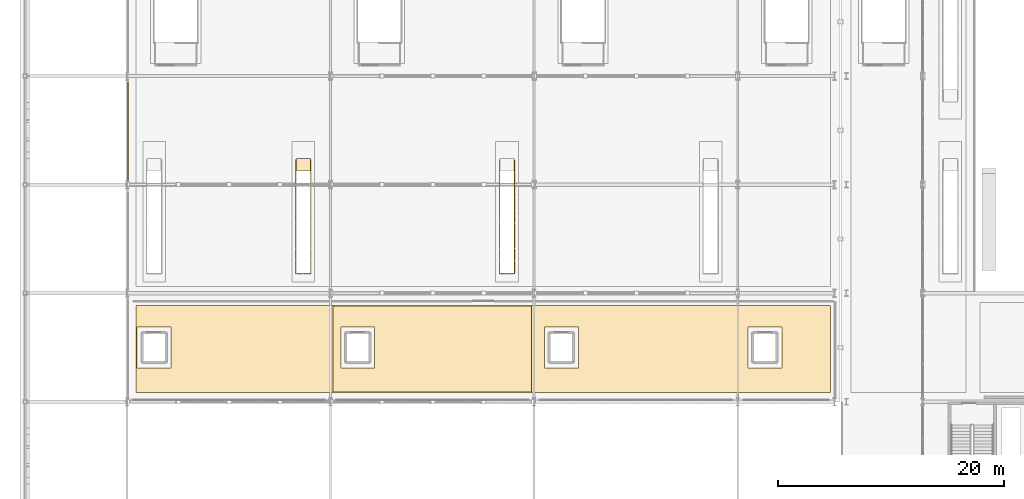
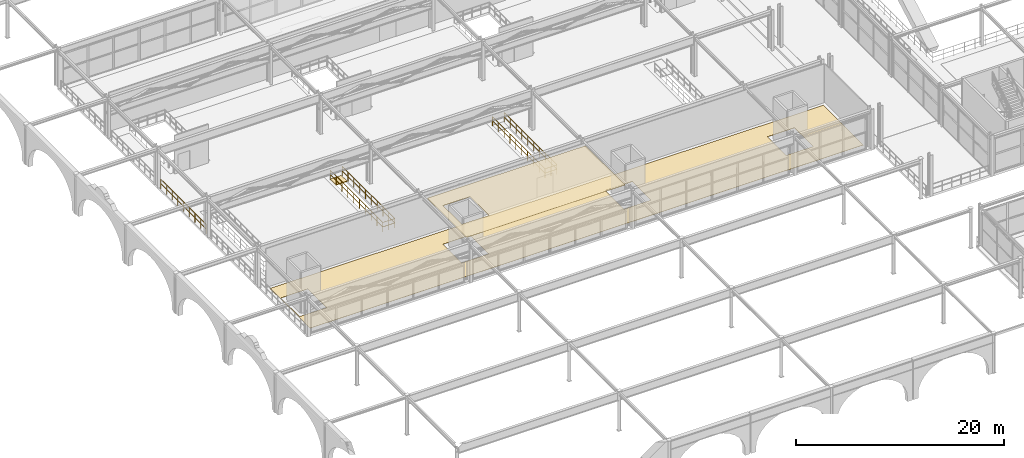
# One storey, part 94 of 125: 3 coverings, 3 railings.
"""IFC4 building model written with IfcOpenShell, lengths in metres."""

from ifc_helpers import new_model, si_unit, direction, frame, origin, origin_2d, place, context, subcontext, project, spatial, polyline, rectangle, outline, extrude, material, layer, layer_set, type_object, element, save


model = new_model("IFC4")

# Units and contexts
model_context = context("Model", 3, precision=1e-05, world=origin(), true_north=direction((0.0, 1.0)))
body_context = subcontext(model_context, "Body", "Model", "MODEL_VIEW")
ifc_project = project(units=[si_unit("LENGTHUNIT", "METRE"), si_unit("AREAUNIT", "SQUARE_METRE"), si_unit("VOLUMEUNIT", "CUBIC_METRE"), si_unit("PLANEANGLEUNIT", "RADIAN"), si_unit("MASSUNIT", "GRAM", prefix="KILO")], contexts=[model_context])

# Site, building, storey
site_placement = place(None, origin())
site = spatial("IfcSite", under=ifc_project, at=site_placement, CompositionType="ELEMENT")
building_placement = place(site_placement, origin())
building = spatial("IfcBuilding", under=site, at=building_placement, Name="Myrtia Square Station", CompositionType="ELEMENT")
storey_placement = place(building_placement, frame((0.0, 0.0, 6.0)))
storey = spatial("IfcBuildingStorey", under=building, at=storey_placement, Name="L01", CompositionType="ELEMENT", Elevation=6.0)

# Coverings
ifc_material_1 = material(Name="Gypsum plasterboard")
ifc_layer_1 = layer(ifc_material_1, 0.034912109375, Name="Gypsum plasterboard")
ifc_layer_set_1 = layer_set([ifc_layer_1], Name="Gypsum plasterboard")
covering_type_1 = type_object("IfcCoveringType", Name="COV-CEIL-ACOUSTIC", PredefinedType="CEILING", material=ifc_layer_set_1)
covering_1_placement = place(storey_placement, frame((0.0, 0.0, 4.52001953125)))
element("IfcCovering", 1, at=covering_1_placement, inside=storey, type_object=covering_type_1, Name="Acoustic coffer ceiling L01-02", PredefinedType="CEILING", context=body_context, shape_type="SweptSolid", body=[
    extrude(outline(polyline([(44.780029296875, 46.85009765625), (44.780029296875, 39.25), (27.219970703125, 39.25), (27.219970703125, 46.85009765625), (44.780029296875, 46.85009765625)]), holes=[polyline([(30.89990234375, 45.0), (27.89990234375, 45.0), (27.89990234375, 41.39990234375), (30.89990234375, 41.39990234375), (30.89990234375, 45.0)])]), origin(), (0.0, 0.0, 1.0), 0.034912109375),
])
ifc_material_2 = material(Name="Terrazzo stone tile", Category="masonry")
ifc_layer_2 = layer(ifc_material_2, 0.02490234375, Name="Terrazzo stone tile")
ifc_layer_set_2 = layer_set([ifc_layer_2], Name="Terrazzo stone tile")
covering_type_2 = type_object("IfcCoveringType", Name="COV-FLR-TERRAZZO", PredefinedType="FLOORING", material=ifc_layer_set_2)
covering_2_placement = place(storey_placement, origin())
element("IfcCovering", 2, at=covering_2_placement, inside=storey, type_object=covering_type_2, Name="Terrazzo room flooring L01-02", PredefinedType="FLOORING", context=body_context, shape_type="SweptSolid", body=[
    extrude(outline(polyline([(9.800048828125, 46.89990234375), (71.199951171875, 46.89990234375), (71.199951171875, 39.199951171875), (9.800048828125, 39.199951171875), (9.800048828125, 46.89990234375)]), holes=[polyline([(30.89990234375, 41.39990234375), (30.89990234375, 45.0), (27.89990234375, 45.0), (27.89990234375, 41.39990234375), (30.89990234375, 41.39990234375)]), polyline([(12.89990234375, 41.39990234375), (12.89990234375, 45.0), (9.89990234375, 45.0), (9.89990234375, 41.39990234375), (12.89990234375, 41.39990234375)]), polyline([(66.89990234375, 41.39990234375), (66.89990234375, 45.0), (63.89990234375, 45.0), (63.89990234375, 41.39990234375), (66.89990234375, 41.39990234375)]), polyline([(48.89990234375, 45.0), (45.89990234375, 45.0), (45.89990234375, 41.39990234375), (48.89990234375, 41.39990234375), (48.89990234375, 45.0)])]), origin(), (0.0, 0.0, 1.0), 0.02490234375),
])
covering_3_placement = place(storey_placement, frame((0.0, 0.0, -0.080078125)))
element("IfcCovering", 3, at=covering_3_placement, inside=storey, type_object=covering_type_2, Name="Escalator ESC-02 upper comb landing", PredefinedType="FLOORING", context=body_context, shape_type="SweptSolid", body=[
    extrude(outline(polyline([(23.97998046875, 58.81005859375), (25.219970703125, 58.81005859375), (25.219970703125, 59.909912109375), (23.97998046875, 59.909912109375), (23.97998046875, 58.81005859375)])), origin(), (0.0, 0.0, 1.0), 0.080078125),
])

# Railings
ifc_material_3 = material(Name="Wrought iron", Category="steel")
railing_type = type_object("IfcRailingType", Name="RL-INT-GUARD-1100", PredefinedType="BALUSTRADE", material=ifc_material_3)
railing_1_placement = place(storey_placement, frame((23.93994140625, 59.81005859375, 0.0)))
element("IfcRailing", 4, at=railing_1_placement, inside=storey, type_object=railing_type, Name="Escalator ESC-02 upper well guard", PredefinedType="BALUSTRADE", context=body_context, shape_type="SweptSolid", body=[
    extrude(rectangle(XDim=0.048095703125, YDim=0.048095703125, at=origin_2d()), frame((0.0, -0.03466796875, 1.09619140625), z_axis=(0.0, -1.0, 0.0), x_axis=(1.0, 0.0, 0.0)), (0.0, 0.0, 1.0), 1.0517578125),
    extrude(rectangle(XDim=0.048095703125, YDim=0.048095703125, at=origin_2d()), frame((0.0, -0.03466796875, 0.58251953125), z_axis=(0.0, -1.0, 0.0), x_axis=(1.0, 0.0, 0.0)), (0.0, 0.0, 1.0), 1.0517578125),
    extrude(rectangle(XDim=0.048095703125, YDim=0.048095703125, at=origin_2d()), frame((0.0, -1.15576171875, 1.09619140625), z_axis=(0.0, -1.0, 0.0), x_axis=(1.0, 0.0, 0.0)), (0.0, 0.0, 1.0), 1.0517578125),
    extrude(rectangle(XDim=0.048095703125, YDim=0.048095703125, at=origin_2d()), frame((0.0, -1.15576171875, 0.58251953125), z_axis=(0.0, -1.0, 0.0), x_axis=(1.0, 0.0, 0.0)), (0.0, 0.0, 1.0), 1.0517578125),
    extrude(rectangle(XDim=0.048095703125, YDim=0.048095703125, at=origin_2d()), frame((0.0, -2.27685546875, 1.09619140625), z_axis=(0.0, -1.0, 0.0), x_axis=(1.0, 0.0, 0.0)), (0.0, 0.0, 1.0), 1.0517578125),
    extrude(rectangle(XDim=0.048095703125, YDim=0.048095703125, at=origin_2d()), frame((0.0, -2.27685546875, 0.58251953125), z_axis=(0.0, -1.0, 0.0), x_axis=(1.0, 0.0, 0.0)), (0.0, 0.0, 1.0), 1.0517578125),
    extrude(rectangle(XDim=0.048095703125, YDim=0.048095703125, at=origin_2d()), frame((0.0, -3.39794921875, 1.09619140625), z_axis=(0.0, -1.0, 0.0), x_axis=(1.0, 0.0, 0.0)), (0.0, 0.0, 1.0), 1.0517578125),
    extrude(rectangle(XDim=0.048095703125, YDim=0.048095703125, at=origin_2d()), frame((0.0, -3.39794921875, 0.58251953125), z_axis=(0.0, -1.0, 0.0), x_axis=(1.0, 0.0, 0.0)), (0.0, 0.0, 1.0), 1.0517578125),
    extrude(rectangle(XDim=0.048095703125, YDim=0.048095703125, at=origin_2d()), frame((0.0, -4.51904296875, 1.09619140625), z_axis=(0.0, -1.0, 0.0), x_axis=(1.0, 0.0, 0.0)), (0.0, 0.0, 1.0), 1.0517578125),
    extrude(rectangle(XDim=0.048095703125, YDim=0.048095703125, at=origin_2d()), frame((0.0, -4.51904296875, 0.58251953125), z_axis=(0.0, -1.0, 0.0), x_axis=(1.0, 0.0, 0.0)), (0.0, 0.0, 1.0), 1.0517578125),
    extrude(rectangle(XDim=0.048095703125, YDim=0.048095703125, at=origin_2d()), frame((0.0, -5.64013671875, 1.09619140625), z_axis=(0.0, -1.0, 0.0), x_axis=(1.0, 0.0, 0.0)), (0.0, 0.0, 1.0), 1.0517578125),
    extrude(rectangle(XDim=0.048095703125, YDim=0.048095703125, at=origin_2d()), frame((0.0, -5.64013671875, 0.58251953125), z_axis=(0.0, -1.0, 0.0), x_axis=(1.0, 0.0, 0.0)), (0.0, 0.0, 1.0), 1.0517578125),
    extrude(rectangle(XDim=0.048095703125, YDim=0.048095703125, at=origin_2d()), frame((0.0, -6.761474609375, 1.09619140625), z_axis=(0.0, -1.0, 0.0), x_axis=(1.0, 0.0, 0.0)), (0.0, 0.0, 1.0), 1.0517578125),
    extrude(rectangle(XDim=0.048095703125, YDim=0.048095703125, at=origin_2d()), frame((0.0, -6.761474609375, 0.58251953125), z_axis=(0.0, -1.0, 0.0), x_axis=(1.0, 0.0, 0.0)), (0.0, 0.0, 1.0), 1.0517578125),
    extrude(rectangle(XDim=0.048095703125, YDim=0.048095703125, at=origin_2d()), frame((0.0, -7.882568359375, 1.09619140625), z_axis=(0.0, -1.0, 0.0), x_axis=(1.0, 0.0, 0.0)), (0.0, 0.0, 1.0), 1.0517578125),
    extrude(rectangle(XDim=0.048095703125, YDim=0.048095703125, at=origin_2d()), frame((0.0, -7.882568359375, 0.58251953125), z_axis=(0.0, -1.0, 0.0), x_axis=(1.0, 0.0, 0.0)), (0.0, 0.0, 1.0), 1.0517578125),
    extrude(rectangle(XDim=0.048095703125, YDim=0.048095703125, at=origin_2d()), frame((0.0, -9.003662109375, 1.09619140625), z_axis=(0.0, -1.0, 0.0), x_axis=(1.0, 0.0, 0.0)), (0.0, 0.0, 1.0), 1.0517578125),
    extrude(rectangle(XDim=0.048095703125, YDim=0.048095703125, at=origin_2d()), frame((0.0, -9.003662109375, 0.58251953125), z_axis=(0.0, -1.0, 0.0), x_axis=(1.0, 0.0, 0.0)), (0.0, 0.0, 1.0), 1.0517578125),
    extrude(rectangle(XDim=0.048095703125, YDim=0.048095703125, at=origin_2d()), frame((0.03466796875, -10.090087890625, 1.09619140625), z_axis=(1.0, 0.0, 0.0), x_axis=(0.0, 1.0, 0.0)), (0.0, 0.0, 1.0), 0.5908203125),
    extrude(rectangle(XDim=0.048095703125, YDim=0.048095703125, at=origin_2d()), frame((0.03466796875, -10.090087890625, 0.58251953125), z_axis=(1.0, 0.0, 0.0), x_axis=(0.0, 1.0, 0.0)), (0.0, 0.0, 1.0), 0.5908203125),
    extrude(rectangle(XDim=0.048095703125, YDim=0.048095703125, at=origin_2d()), frame((0.694580078125, -10.090087890625, 1.09619140625), z_axis=(1.0, 0.0, 0.0), x_axis=(0.0, 1.0, 0.0)), (0.0, 0.0, 1.0), 0.5908203125),
    extrude(rectangle(XDim=0.048095703125, YDim=0.048095703125, at=origin_2d()), frame((0.694580078125, -10.090087890625, 0.58251953125), z_axis=(1.0, 0.0, 0.0), x_axis=(0.0, 1.0, 0.0)), (0.0, 0.0, 1.0), 0.5908203125),
    extrude(rectangle(XDim=0.048095703125, YDim=0.048095703125, at=origin_2d()), frame((1.320068359375, -10.055419921875, 1.09619140625), z_axis=(0.0, 1.0, 0.0), x_axis=(-1.0, 0.0, 0.0)), (0.0, 0.0, 1.0), 1.0517578125),
    extrude(rectangle(XDim=0.048095703125, YDim=0.048095703125, at=origin_2d()), frame((1.320068359375, -10.055419921875, 0.58251953125), z_axis=(0.0, 1.0, 0.0), x_axis=(-1.0, 0.0, 0.0)), (0.0, 0.0, 1.0), 1.0517578125),
    extrude(rectangle(XDim=0.048095703125, YDim=0.048095703125, at=origin_2d()), frame((1.320068359375, -8.934326171875, 1.09619140625), z_axis=(0.0, 1.0, 0.0), x_axis=(-1.0, 0.0, 0.0)), (0.0, 0.0, 1.0), 1.0517578125),
    extrude(rectangle(XDim=0.048095703125, YDim=0.048095703125, at=origin_2d()), frame((1.320068359375, -8.934326171875, 0.58251953125), z_axis=(0.0, 1.0, 0.0), x_axis=(-1.0, 0.0, 0.0)), (0.0, 0.0, 1.0), 1.0517578125),
    extrude(rectangle(XDim=0.048095703125, YDim=0.048095703125, at=origin_2d()), frame((1.320068359375, -7.813232421875, 1.09619140625), z_axis=(0.0, 1.0, 0.0), x_axis=(-1.0, 0.0, 0.0)), (0.0, 0.0, 1.0), 1.0517578125),
    extrude(rectangle(XDim=0.048095703125, YDim=0.048095703125, at=origin_2d()), frame((1.320068359375, -7.813232421875, 0.58251953125), z_axis=(0.0, 1.0, 0.0), x_axis=(-1.0, 0.0, 0.0)), (0.0, 0.0, 1.0), 1.0517578125),
    extrude(rectangle(XDim=0.048095703125, YDim=0.048095703125, at=origin_2d()), frame((1.320068359375, -6.692138671875, 1.09619140625), z_axis=(0.0, 1.0, 0.0), x_axis=(-1.0, 0.0, 0.0)), (0.0, 0.0, 1.0), 1.0517578125),
    extrude(rectangle(XDim=0.048095703125, YDim=0.048095703125, at=origin_2d()), frame((1.320068359375, -6.692138671875, 0.58251953125), z_axis=(0.0, 1.0, 0.0), x_axis=(-1.0, 0.0, 0.0)), (0.0, 0.0, 1.0), 1.0517578125),
    extrude(rectangle(XDim=0.048095703125, YDim=0.048095703125, at=origin_2d()), frame((1.320068359375, -5.571044921875, 1.09619140625), z_axis=(0.0, 1.0, 0.0), x_axis=(-1.0, 0.0, 0.0)), (0.0, 0.0, 1.0), 1.0517578125),
    extrude(rectangle(XDim=0.048095703125, YDim=0.048095703125, at=origin_2d()), frame((1.320068359375, -5.571044921875, 0.58251953125), z_axis=(0.0, 1.0, 0.0), x_axis=(-1.0, 0.0, 0.0)), (0.0, 0.0, 1.0), 1.0517578125),
    extrude(rectangle(XDim=0.048095703125, YDim=0.048095703125, at=origin_2d()), frame((1.320068359375, -4.449951171875, 1.09619140625), z_axis=(0.0, 1.0, 0.0), x_axis=(-1.0, 0.0, 0.0)), (0.0, 0.0, 1.0), 1.0517578125),
    extrude(rectangle(XDim=0.048095703125, YDim=0.048095703125, at=origin_2d()), frame((1.320068359375, -4.449951171875, 0.58251953125), z_axis=(0.0, 1.0, 0.0), x_axis=(-1.0, 0.0, 0.0)), (0.0, 0.0, 1.0), 1.0517578125),
    extrude(rectangle(XDim=0.048095703125, YDim=0.048095703125, at=origin_2d()), frame((1.320068359375, -3.32861328125, 1.09619140625), z_axis=(0.0, 1.0, 0.0), x_axis=(-1.0, 0.0, 0.0)), (0.0, 0.0, 1.0), 1.0517578125),
    extrude(rectangle(XDim=0.048095703125, YDim=0.048095703125, at=origin_2d()), frame((1.320068359375, -3.32861328125, 0.58251953125), z_axis=(0.0, 1.0, 0.0), x_axis=(-1.0, 0.0, 0.0)), (0.0, 0.0, 1.0), 1.0517578125),
    extrude(rectangle(XDim=0.048095703125, YDim=0.048095703125, at=origin_2d()), frame((1.320068359375, -2.20751953125, 1.09619140625), z_axis=(0.0, 1.0, 0.0), x_axis=(-1.0, 0.0, 0.0)), (0.0, 0.0, 1.0), 1.0517578125),
    extrude(rectangle(XDim=0.048095703125, YDim=0.048095703125, at=origin_2d()), frame((1.320068359375, -2.20751953125, 0.58251953125), z_axis=(0.0, 1.0, 0.0), x_axis=(-1.0, 0.0, 0.0)), (0.0, 0.0, 1.0), 1.0517578125),
    extrude(rectangle(XDim=0.048095703125, YDim=0.048095703125, at=origin_2d()), frame((1.320068359375, -1.08642578125, 1.09619140625), z_axis=(0.0, 1.0, 0.0), x_axis=(-1.0, 0.0, 0.0)), (0.0, 0.0, 1.0), 1.0517578125),
    extrude(rectangle(XDim=0.048095703125, YDim=0.048095703125, at=origin_2d()), frame((1.320068359375, -1.08642578125, 0.58251953125), z_axis=(0.0, 1.0, 0.0), x_axis=(-1.0, 0.0, 0.0)), (0.0, 0.0, 1.0), 1.0517578125),
    extrude(rectangle(XDim=0.0439453125, YDim=0.0439453125, at=origin_2d()), origin(), (0.0, 0.0, 1.0), 1.1201171875),
    extrude(rectangle(XDim=0.0439453125, YDim=0.0439453125, at=origin_2d()), frame((0.0, -1.12109375, 0.0)), (0.0, 0.0, 1.0), 1.1201171875),
    extrude(rectangle(XDim=0.0439453125, YDim=0.0439453125, at=origin_2d()), frame((0.0, -2.2421875, 0.0)), (0.0, 0.0, 1.0), 1.1201171875),
    extrude(rectangle(XDim=0.0439453125, YDim=0.0439453125, at=origin_2d()), frame((0.0, -3.36328125, 0.0)), (0.0, 0.0, 1.0), 1.1201171875),
    extrude(rectangle(XDim=0.0439453125, YDim=0.0439453125, at=origin_2d()), frame((0.0, -4.484375, 0.0)), (0.0, 0.0, 1.0), 1.1201171875),
    extrude(rectangle(XDim=0.0439453125, YDim=0.0439453125, at=origin_2d()), frame((0.0, -5.605712890625, 0.0)), (0.0, 0.0, 1.0), 1.1201171875),
    extrude(rectangle(XDim=0.0439453125, YDim=0.0439453125, at=origin_2d()), frame((0.0, -6.726806640625, 0.0)), (0.0, 0.0, 1.0), 1.1201171875),
    extrude(rectangle(XDim=0.0439453125, YDim=0.0439453125, at=origin_2d()), frame((0.0, -7.847900390625, 0.0)), (0.0, 0.0, 1.0), 1.1201171875),
    extrude(rectangle(XDim=0.0439453125, YDim=0.0439453125, at=origin_2d()), frame((0.0, -8.968994140625, 0.0)), (0.0, 0.0, 1.0), 1.1201171875),
    extrude(rectangle(XDim=0.0439453125, YDim=0.0439453125, at=origin_2d()), frame((0.0, -10.090087890625, 0.0)), (0.0, 0.0, 1.0), 1.1201171875),
    extrude(rectangle(XDim=0.0439453125, YDim=0.0439453125, at=origin_2d()), frame((0.66015625, -10.090087890625, 0.0)), (0.0, 0.0, 1.0), 1.1201171875),
    extrude(rectangle(XDim=0.0439453125, YDim=0.0439453125, at=origin_2d()), frame((1.320068359375, -10.090087890625, 0.0)), (0.0, 0.0, 1.0), 1.1201171875),
    extrude(rectangle(XDim=0.0439453125, YDim=0.0439453125, at=origin_2d()), frame((1.320068359375, -8.968994140625, 0.0)), (0.0, 0.0, 1.0), 1.1201171875),
    extrude(rectangle(XDim=0.0439453125, YDim=0.0439453125, at=origin_2d()), frame((1.320068359375, -7.847900390625, 0.0)), (0.0, 0.0, 1.0), 1.1201171875),
    extrude(rectangle(XDim=0.0439453125, YDim=0.0439453125, at=origin_2d()), frame((1.320068359375, -6.726806640625, 0.0)), (0.0, 0.0, 1.0), 1.1201171875),
    extrude(rectangle(XDim=0.0439453125, YDim=0.0439453125, at=origin_2d()), frame((1.320068359375, -5.605712890625, 0.0)), (0.0, 0.0, 1.0), 1.1201171875),
    extrude(rectangle(XDim=0.0439453125, YDim=0.0439453125, at=origin_2d()), frame((1.320068359375, -4.484375, 0.0)), (0.0, 0.0, 1.0), 1.1201171875),
    extrude(rectangle(XDim=0.0439453125, YDim=0.0439453125, at=origin_2d()), frame((1.320068359375, -3.36328125, 0.0)), (0.0, 0.0, 1.0), 1.1201171875),
    extrude(rectangle(XDim=0.0439453125, YDim=0.0439453125, at=origin_2d()), frame((1.320068359375, -2.2421875, 0.0)), (0.0, 0.0, 1.0), 1.1201171875),
    extrude(rectangle(XDim=0.0439453125, YDim=0.0439453125, at=origin_2d()), frame((1.320068359375, -1.12109375, 0.0)), (0.0, 0.0, 1.0), 1.1201171875),
    extrude(rectangle(XDim=0.0439453125, YDim=0.0439453125, at=origin_2d()), frame((1.320068359375, 0.0, 0.0)), (0.0, 0.0, 1.0), 1.1201171875),
])
railing_2_placement = place(storey_placement, frame((41.93994140625, 59.81005859375, 0.0)))
element("IfcRailing", 5, at=railing_2_placement, inside=storey, type_object=railing_type, Name="Escalator ESC-03 upper well guard", PredefinedType="BALUSTRADE", context=body_context, shape_type="SweptSolid", body=[
    extrude(rectangle(XDim=0.048095703125, YDim=0.048095703125, at=origin_2d()), frame((0.0, -0.03466796875, 1.09619140625), z_axis=(0.0, -1.0, 0.0), x_axis=(1.0, 0.0, 0.0)), (0.0, 0.0, 1.0), 1.0517578125),
    extrude(rectangle(XDim=0.048095703125, YDim=0.048095703125, at=origin_2d()), frame((0.0, -0.03466796875, 0.58251953125), z_axis=(0.0, -1.0, 0.0), x_axis=(1.0, 0.0, 0.0)), (0.0, 0.0, 1.0), 1.0517578125),
    extrude(rectangle(XDim=0.048095703125, YDim=0.048095703125, at=origin_2d()), frame((0.0, -1.15576171875, 1.09619140625), z_axis=(0.0, -1.0, 0.0), x_axis=(1.0, 0.0, 0.0)), (0.0, 0.0, 1.0), 1.0517578125),
    extrude(rectangle(XDim=0.048095703125, YDim=0.048095703125, at=origin_2d()), frame((0.0, -1.15576171875, 0.58251953125), z_axis=(0.0, -1.0, 0.0), x_axis=(1.0, 0.0, 0.0)), (0.0, 0.0, 1.0), 1.0517578125),
    extrude(rectangle(XDim=0.048095703125, YDim=0.048095703125, at=origin_2d()), frame((0.0, -2.27685546875, 1.09619140625), z_axis=(0.0, -1.0, 0.0), x_axis=(1.0, 0.0, 0.0)), (0.0, 0.0, 1.0), 1.0517578125),
    extrude(rectangle(XDim=0.048095703125, YDim=0.048095703125, at=origin_2d()), frame((0.0, -2.27685546875, 0.58251953125), z_axis=(0.0, -1.0, 0.0), x_axis=(1.0, 0.0, 0.0)), (0.0, 0.0, 1.0), 1.0517578125),
    extrude(rectangle(XDim=0.048095703125, YDim=0.048095703125, at=origin_2d()), frame((0.0, -3.39794921875, 1.09619140625), z_axis=(0.0, -1.0, 0.0), x_axis=(1.0, 0.0, 0.0)), (0.0, 0.0, 1.0), 1.0517578125),
    extrude(rectangle(XDim=0.048095703125, YDim=0.048095703125, at=origin_2d()), frame((0.0, -3.39794921875, 0.58251953125), z_axis=(0.0, -1.0, 0.0), x_axis=(1.0, 0.0, 0.0)), (0.0, 0.0, 1.0), 1.0517578125),
    extrude(rectangle(XDim=0.048095703125, YDim=0.048095703125, at=origin_2d()), frame((0.0, -4.51904296875, 1.09619140625), z_axis=(0.0, -1.0, 0.0), x_axis=(1.0, 0.0, 0.0)), (0.0, 0.0, 1.0), 1.0517578125),
    extrude(rectangle(XDim=0.048095703125, YDim=0.048095703125, at=origin_2d()), frame((0.0, -4.51904296875, 0.58251953125), z_axis=(0.0, -1.0, 0.0), x_axis=(1.0, 0.0, 0.0)), (0.0, 0.0, 1.0), 1.0517578125),
    extrude(rectangle(XDim=0.048095703125, YDim=0.048095703125, at=origin_2d()), frame((0.0, -5.64013671875, 1.09619140625), z_axis=(0.0, -1.0, 0.0), x_axis=(1.0, 0.0, 0.0)), (0.0, 0.0, 1.0), 1.0517578125),
    extrude(rectangle(XDim=0.048095703125, YDim=0.048095703125, at=origin_2d()), frame((0.0, -5.64013671875, 0.58251953125), z_axis=(0.0, -1.0, 0.0), x_axis=(1.0, 0.0, 0.0)), (0.0, 0.0, 1.0), 1.0517578125),
    extrude(rectangle(XDim=0.048095703125, YDim=0.048095703125, at=origin_2d()), frame((0.0, -6.761474609375, 1.09619140625), z_axis=(0.0, -1.0, 0.0), x_axis=(1.0, 0.0, 0.0)), (0.0, 0.0, 1.0), 1.0517578125),
    extrude(rectangle(XDim=0.048095703125, YDim=0.048095703125, at=origin_2d()), frame((0.0, -6.761474609375, 0.58251953125), z_axis=(0.0, -1.0, 0.0), x_axis=(1.0, 0.0, 0.0)), (0.0, 0.0, 1.0), 1.0517578125),
    extrude(rectangle(XDim=0.048095703125, YDim=0.048095703125, at=origin_2d()), frame((0.0, -7.882568359375, 1.09619140625), z_axis=(0.0, -1.0, 0.0), x_axis=(1.0, 0.0, 0.0)), (0.0, 0.0, 1.0), 1.0517578125),
    extrude(rectangle(XDim=0.048095703125, YDim=0.048095703125, at=origin_2d()), frame((0.0, -7.882568359375, 0.58251953125), z_axis=(0.0, -1.0, 0.0), x_axis=(1.0, 0.0, 0.0)), (0.0, 0.0, 1.0), 1.0517578125),
    extrude(rectangle(XDim=0.048095703125, YDim=0.048095703125, at=origin_2d()), frame((0.0, -9.003662109375, 1.09619140625), z_axis=(0.0, -1.0, 0.0), x_axis=(1.0, 0.0, 0.0)), (0.0, 0.0, 1.0), 1.0517578125),
    extrude(rectangle(XDim=0.048095703125, YDim=0.048095703125, at=origin_2d()), frame((0.0, -9.003662109375, 0.58251953125), z_axis=(0.0, -1.0, 0.0), x_axis=(1.0, 0.0, 0.0)), (0.0, 0.0, 1.0), 1.0517578125),
    extrude(rectangle(XDim=0.048095703125, YDim=0.048095703125, at=origin_2d()), frame((0.03466796875, -10.090087890625, 1.09619140625), z_axis=(1.0, 0.0, 0.0), x_axis=(0.0, 1.0, 0.0)), (0.0, 0.0, 1.0), 0.5908203125),
    extrude(rectangle(XDim=0.048095703125, YDim=0.048095703125, at=origin_2d()), frame((0.03466796875, -10.090087890625, 0.58251953125), z_axis=(1.0, 0.0, 0.0), x_axis=(0.0, 1.0, 0.0)), (0.0, 0.0, 1.0), 0.5908203125),
    extrude(rectangle(XDim=0.048095703125, YDim=0.048095703125, at=origin_2d()), frame((0.694580078125, -10.090087890625, 1.09619140625), z_axis=(1.0, 0.0, 0.0), x_axis=(0.0, 1.0, 0.0)), (0.0, 0.0, 1.0), 0.5908203125),
    extrude(rectangle(XDim=0.048095703125, YDim=0.048095703125, at=origin_2d()), frame((0.694580078125, -10.090087890625, 0.58251953125), z_axis=(1.0, 0.0, 0.0), x_axis=(0.0, 1.0, 0.0)), (0.0, 0.0, 1.0), 0.5908203125),
    extrude(rectangle(XDim=0.048095703125, YDim=0.048095703125, at=origin_2d()), frame((1.320068359375, -10.055419921875, 1.09619140625), z_axis=(0.0, 1.0, 0.0), x_axis=(-1.0, 0.0, 0.0)), (0.0, 0.0, 1.0), 1.0517578125),
    extrude(rectangle(XDim=0.048095703125, YDim=0.048095703125, at=origin_2d()), frame((1.320068359375, -10.055419921875, 0.58251953125), z_axis=(0.0, 1.0, 0.0), x_axis=(-1.0, 0.0, 0.0)), (0.0, 0.0, 1.0), 1.0517578125),
    extrude(rectangle(XDim=0.048095703125, YDim=0.048095703125, at=origin_2d()), frame((1.320068359375, -8.934326171875, 1.09619140625), z_axis=(0.0, 1.0, 0.0), x_axis=(-1.0, 0.0, 0.0)), (0.0, 0.0, 1.0), 1.0517578125),
    extrude(rectangle(XDim=0.048095703125, YDim=0.048095703125, at=origin_2d()), frame((1.320068359375, -8.934326171875, 0.58251953125), z_axis=(0.0, 1.0, 0.0), x_axis=(-1.0, 0.0, 0.0)), (0.0, 0.0, 1.0), 1.0517578125),
    extrude(rectangle(XDim=0.048095703125, YDim=0.048095703125, at=origin_2d()), frame((1.320068359375, -7.813232421875, 1.09619140625), z_axis=(0.0, 1.0, 0.0), x_axis=(-1.0, 0.0, 0.0)), (0.0, 0.0, 1.0), 1.0517578125),
    extrude(rectangle(XDim=0.048095703125, YDim=0.048095703125, at=origin_2d()), frame((1.320068359375, -7.813232421875, 0.58251953125), z_axis=(0.0, 1.0, 0.0), x_axis=(-1.0, 0.0, 0.0)), (0.0, 0.0, 1.0), 1.0517578125),
    extrude(rectangle(XDim=0.048095703125, YDim=0.048095703125, at=origin_2d()), frame((1.320068359375, -6.692138671875, 1.09619140625), z_axis=(0.0, 1.0, 0.0), x_axis=(-1.0, 0.0, 0.0)), (0.0, 0.0, 1.0), 1.0517578125),
    extrude(rectangle(XDim=0.048095703125, YDim=0.048095703125, at=origin_2d()), frame((1.320068359375, -6.692138671875, 0.58251953125), z_axis=(0.0, 1.0, 0.0), x_axis=(-1.0, 0.0, 0.0)), (0.0, 0.0, 1.0), 1.0517578125),
    extrude(rectangle(XDim=0.048095703125, YDim=0.048095703125, at=origin_2d()), frame((1.320068359375, -5.571044921875, 1.09619140625), z_axis=(0.0, 1.0, 0.0), x_axis=(-1.0, 0.0, 0.0)), (0.0, 0.0, 1.0), 1.0517578125),
    extrude(rectangle(XDim=0.048095703125, YDim=0.048095703125, at=origin_2d()), frame((1.320068359375, -5.571044921875, 0.58251953125), z_axis=(0.0, 1.0, 0.0), x_axis=(-1.0, 0.0, 0.0)), (0.0, 0.0, 1.0), 1.0517578125),
    extrude(rectangle(XDim=0.048095703125, YDim=0.048095703125, at=origin_2d()), frame((1.320068359375, -4.449951171875, 1.09619140625), z_axis=(0.0, 1.0, 0.0), x_axis=(-1.0, 0.0, 0.0)), (0.0, 0.0, 1.0), 1.0517578125),
    extrude(rectangle(XDim=0.048095703125, YDim=0.048095703125, at=origin_2d()), frame((1.320068359375, -4.449951171875, 0.58251953125), z_axis=(0.0, 1.0, 0.0), x_axis=(-1.0, 0.0, 0.0)), (0.0, 0.0, 1.0), 1.0517578125),
    extrude(rectangle(XDim=0.048095703125, YDim=0.048095703125, at=origin_2d()), frame((1.320068359375, -3.32861328125, 1.09619140625), z_axis=(0.0, 1.0, 0.0), x_axis=(-1.0, 0.0, 0.0)), (0.0, 0.0, 1.0), 1.0517578125),
    extrude(rectangle(XDim=0.048095703125, YDim=0.048095703125, at=origin_2d()), frame((1.320068359375, -3.32861328125, 0.58251953125), z_axis=(0.0, 1.0, 0.0), x_axis=(-1.0, 0.0, 0.0)), (0.0, 0.0, 1.0), 1.0517578125),
    extrude(rectangle(XDim=0.048095703125, YDim=0.048095703125, at=origin_2d()), frame((1.320068359375, -2.20751953125, 1.09619140625), z_axis=(0.0, 1.0, 0.0), x_axis=(-1.0, 0.0, 0.0)), (0.0, 0.0, 1.0), 1.0517578125),
    extrude(rectangle(XDim=0.048095703125, YDim=0.048095703125, at=origin_2d()), frame((1.320068359375, -2.20751953125, 0.58251953125), z_axis=(0.0, 1.0, 0.0), x_axis=(-1.0, 0.0, 0.0)), (0.0, 0.0, 1.0), 1.0517578125),
    extrude(rectangle(XDim=0.048095703125, YDim=0.048095703125, at=origin_2d()), frame((1.320068359375, -1.08642578125, 1.09619140625), z_axis=(0.0, 1.0, 0.0), x_axis=(-1.0, 0.0, 0.0)), (0.0, 0.0, 1.0), 1.0517578125),
    extrude(rectangle(XDim=0.048095703125, YDim=0.048095703125, at=origin_2d()), frame((1.320068359375, -1.08642578125, 0.58251953125), z_axis=(0.0, 1.0, 0.0), x_axis=(-1.0, 0.0, 0.0)), (0.0, 0.0, 1.0), 1.0517578125),
    extrude(rectangle(XDim=0.0439453125, YDim=0.0439453125, at=origin_2d()), origin(), (0.0, 0.0, 1.0), 1.1201171875),
    extrude(rectangle(XDim=0.0439453125, YDim=0.0439453125, at=origin_2d()), frame((0.0, -1.12109375, 0.0)), (0.0, 0.0, 1.0), 1.1201171875),
    extrude(rectangle(XDim=0.0439453125, YDim=0.0439453125, at=origin_2d()), frame((0.0, -2.2421875, 0.0)), (0.0, 0.0, 1.0), 1.1201171875),
    extrude(rectangle(XDim=0.0439453125, YDim=0.0439453125, at=origin_2d()), frame((0.0, -3.36328125, 0.0)), (0.0, 0.0, 1.0), 1.1201171875),
    extrude(rectangle(XDim=0.0439453125, YDim=0.0439453125, at=origin_2d()), frame((0.0, -4.484375, 0.0)), (0.0, 0.0, 1.0), 1.1201171875),
    extrude(rectangle(XDim=0.0439453125, YDim=0.0439453125, at=origin_2d()), frame((0.0, -5.605712890625, 0.0)), (0.0, 0.0, 1.0), 1.1201171875),
    extrude(rectangle(XDim=0.0439453125, YDim=0.0439453125, at=origin_2d()), frame((0.0, -6.726806640625, 0.0)), (0.0, 0.0, 1.0), 1.1201171875),
    extrude(rectangle(XDim=0.0439453125, YDim=0.0439453125, at=origin_2d()), frame((0.0, -7.847900390625, 0.0)), (0.0, 0.0, 1.0), 1.1201171875),
    extrude(rectangle(XDim=0.0439453125, YDim=0.0439453125, at=origin_2d()), frame((0.0, -8.968994140625, 0.0)), (0.0, 0.0, 1.0), 1.1201171875),
    extrude(rectangle(XDim=0.0439453125, YDim=0.0439453125, at=origin_2d()), frame((0.0, -10.090087890625, 0.0)), (0.0, 0.0, 1.0), 1.1201171875),
    extrude(rectangle(XDim=0.0439453125, YDim=0.0439453125, at=origin_2d()), frame((0.66015625, -10.090087890625, 0.0)), (0.0, 0.0, 1.0), 1.1201171875),
    extrude(rectangle(XDim=0.0439453125, YDim=0.0439453125, at=origin_2d()), frame((1.320068359375, -10.090087890625, 0.0)), (0.0, 0.0, 1.0), 1.1201171875),
    extrude(rectangle(XDim=0.0439453125, YDim=0.0439453125, at=origin_2d()), frame((1.320068359375, -8.968994140625, 0.0)), (0.0, 0.0, 1.0), 1.1201171875),
    extrude(rectangle(XDim=0.0439453125, YDim=0.0439453125, at=origin_2d()), frame((1.320068359375, -7.847900390625, 0.0)), (0.0, 0.0, 1.0), 1.1201171875),
    extrude(rectangle(XDim=0.0439453125, YDim=0.0439453125, at=origin_2d()), frame((1.320068359375, -6.726806640625, 0.0)), (0.0, 0.0, 1.0), 1.1201171875),
    extrude(rectangle(XDim=0.0439453125, YDim=0.0439453125, at=origin_2d()), frame((1.320068359375, -5.605712890625, 0.0)), (0.0, 0.0, 1.0), 1.1201171875),
    extrude(rectangle(XDim=0.0439453125, YDim=0.0439453125, at=origin_2d()), frame((1.320068359375, -4.484375, 0.0)), (0.0, 0.0, 1.0), 1.1201171875),
    extrude(rectangle(XDim=0.0439453125, YDim=0.0439453125, at=origin_2d()), frame((1.320068359375, -3.36328125, 0.0)), (0.0, 0.0, 1.0), 1.1201171875),
    extrude(rectangle(XDim=0.0439453125, YDim=0.0439453125, at=origin_2d()), frame((1.320068359375, -2.2421875, 0.0)), (0.0, 0.0, 1.0), 1.1201171875),
    extrude(rectangle(XDim=0.0439453125, YDim=0.0439453125, at=origin_2d()), frame((1.320068359375, -1.12109375, 0.0)), (0.0, 0.0, 1.0), 1.1201171875),
    extrude(rectangle(XDim=0.0439453125, YDim=0.0439453125, at=origin_2d()), frame((1.320068359375, 0.0, 0.0)), (0.0, 0.0, 1.0), 1.1201171875),
])
railing_3_placement = place(storey_placement, frame((9.080078125, 66.64111328125, 0.0)))
element("IfcRailing", 6, at=railing_3_placement, inside=storey, type_object=railing_type, Name="Perimeter slab edge balustrade L01-004", PredefinedType="BALUSTRADE", context=body_context, shape_type="SweptSolid", body=[
    extrude(rectangle(XDim=0.048095703125, YDim=0.048095703125, at=origin_2d()), frame((0.0, -0.03466796875, 1.09619140625), z_axis=(0.0, -1.0, 0.0), x_axis=(1.0, 0.0, 0.0)), (0.0, 0.0, 1.0), 1.022216796875),
    extrude(rectangle(XDim=0.048095703125, YDim=0.048095703125, at=origin_2d()), frame((0.0, -0.03466796875, 0.58251953125), z_axis=(0.0, -1.0, 0.0), x_axis=(1.0, 0.0, 0.0)), (0.0, 0.0, 1.0), 1.022216796875),
    extrude(rectangle(XDim=0.048095703125, YDim=0.048095703125, at=origin_2d()), frame((0.0, -1.126220703125, 1.09619140625), z_axis=(0.0, -1.0, 0.0), x_axis=(1.0, 0.0, 0.0)), (0.0, 0.0, 1.0), 1.022216796875),
    extrude(rectangle(XDim=0.048095703125, YDim=0.048095703125, at=origin_2d()), frame((0.0, -1.126220703125, 0.58251953125), z_axis=(0.0, -1.0, 0.0), x_axis=(1.0, 0.0, 0.0)), (0.0, 0.0, 1.0), 1.022216796875),
    extrude(rectangle(XDim=0.048095703125, YDim=0.048095703125, at=origin_2d()), frame((0.0, -2.2177734375, 1.09619140625), z_axis=(0.0, -1.0, 0.0), x_axis=(1.0, 0.0, 0.0)), (0.0, 0.0, 1.0), 1.022216796875),
    extrude(rectangle(XDim=0.048095703125, YDim=0.048095703125, at=origin_2d()), frame((0.0, -2.2177734375, 0.58251953125), z_axis=(0.0, -1.0, 0.0), x_axis=(1.0, 0.0, 0.0)), (0.0, 0.0, 1.0), 1.022216796875),
    extrude(rectangle(XDim=0.048095703125, YDim=0.048095703125, at=origin_2d()), frame((0.0, -3.309326171875, 1.09619140625), z_axis=(0.0, -1.0, 0.0), x_axis=(1.0, 0.0, 0.0)), (0.0, 0.0, 1.0), 1.022216796875),
    extrude(rectangle(XDim=0.048095703125, YDim=0.048095703125, at=origin_2d()), frame((0.0, -3.309326171875, 0.58251953125), z_axis=(0.0, -1.0, 0.0), x_axis=(1.0, 0.0, 0.0)), (0.0, 0.0, 1.0), 1.022216796875),
    extrude(rectangle(XDim=0.048095703125, YDim=0.048095703125, at=origin_2d()), frame((0.0, -4.400634765625, 1.09619140625), z_axis=(0.0, -1.0, 0.0), x_axis=(1.0, 0.0, 0.0)), (0.0, 0.0, 1.0), 1.022216796875),
    extrude(rectangle(XDim=0.048095703125, YDim=0.048095703125, at=origin_2d()), frame((0.0, -4.400634765625, 0.58251953125), z_axis=(0.0, -1.0, 0.0), x_axis=(1.0, 0.0, 0.0)), (0.0, 0.0, 1.0), 1.022216796875),
    extrude(rectangle(XDim=0.048095703125, YDim=0.048095703125, at=origin_2d()), frame((0.0, -5.4921875, 1.09619140625), z_axis=(0.0, -1.0, 0.0), x_axis=(1.0, 0.0, 0.0)), (0.0, 0.0, 1.0), 1.022216796875),
    extrude(rectangle(XDim=0.048095703125, YDim=0.048095703125, at=origin_2d()), frame((0.0, -5.4921875, 0.58251953125), z_axis=(0.0, -1.0, 0.0), x_axis=(1.0, 0.0, 0.0)), (0.0, 0.0, 1.0), 1.022216796875),
    extrude(rectangle(XDim=0.048095703125, YDim=0.048095703125, at=origin_2d()), frame((0.0, -6.583740234375, 1.09619140625), z_axis=(0.0, -1.0, 0.0), x_axis=(1.0, 0.0, 0.0)), (0.0, 0.0, 1.0), 1.022216796875),
    extrude(rectangle(XDim=0.048095703125, YDim=0.048095703125, at=origin_2d()), frame((0.0, -6.583740234375, 0.58251953125), z_axis=(0.0, -1.0, 0.0), x_axis=(1.0, 0.0, 0.0)), (0.0, 0.0, 1.0), 1.022216796875),
    extrude(rectangle(XDim=0.048095703125, YDim=0.048095703125, at=origin_2d()), frame((0.0, -7.67529296875, 1.09619140625), z_axis=(0.0, -1.0, 0.0), x_axis=(1.0, 0.0, 0.0)), (0.0, 0.0, 1.0), 1.022216796875),
    extrude(rectangle(XDim=0.048095703125, YDim=0.048095703125, at=origin_2d()), frame((0.0, -7.67529296875, 0.58251953125), z_axis=(0.0, -1.0, 0.0), x_axis=(1.0, 0.0, 0.0)), (0.0, 0.0, 1.0), 1.022216796875),
    extrude(rectangle(XDim=0.0439453125, YDim=0.0439453125, at=origin_2d()), origin(), (0.0, 0.0, 1.0), 1.1201171875),
    extrude(rectangle(XDim=0.0439453125, YDim=0.0439453125, at=origin_2d()), frame((0.0, -1.091552734375, 0.0)), (0.0, 0.0, 1.0), 1.1201171875),
    extrude(rectangle(XDim=0.0439453125, YDim=0.0439453125, at=origin_2d()), frame((0.0, -2.18310546875, 0.0)), (0.0, 0.0, 1.0), 1.1201171875),
    extrude(rectangle(XDim=0.0439453125, YDim=0.0439453125, at=origin_2d()), frame((0.0, -3.274658203125, 0.0)), (0.0, 0.0, 1.0), 1.1201171875),
    extrude(rectangle(XDim=0.0439453125, YDim=0.0439453125, at=origin_2d()), frame((0.0, -4.3662109375, 0.0)), (0.0, 0.0, 1.0), 1.1201171875),
    extrude(rectangle(XDim=0.0439453125, YDim=0.0439453125, at=origin_2d()), frame((0.0, -5.45751953125, 0.0)), (0.0, 0.0, 1.0), 1.1201171875),
    extrude(rectangle(XDim=0.0439453125, YDim=0.0439453125, at=origin_2d()), frame((0.0, -6.549072265625, 0.0)), (0.0, 0.0, 1.0), 1.1201171875),
    extrude(rectangle(XDim=0.0439453125, YDim=0.0439453125, at=origin_2d()), frame((0.0, -7.640625, 0.0)), (0.0, 0.0, 1.0), 1.1201171875),
    extrude(rectangle(XDim=0.0439453125, YDim=0.0439453125, at=origin_2d()), frame((0.0, -8.732177734375, 0.0)), (0.0, 0.0, 1.0), 1.1201171875),
])

save(model, "model.ifc")
